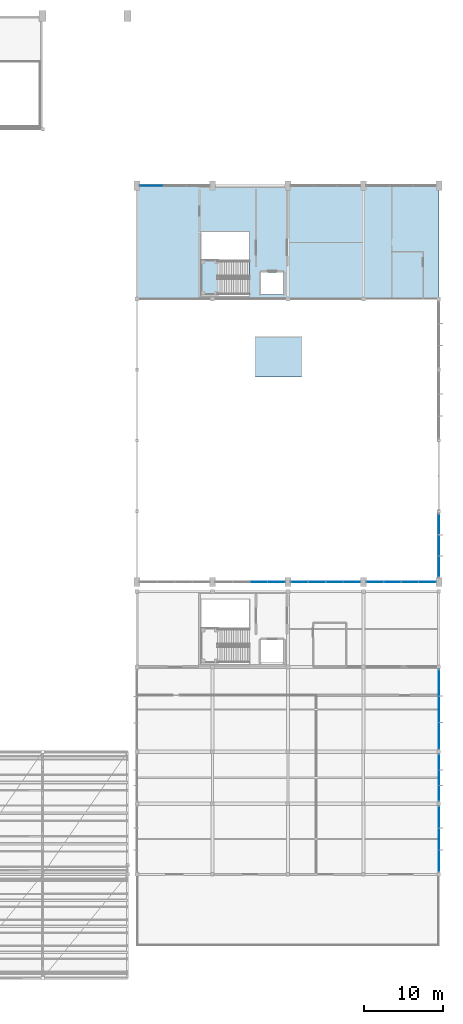
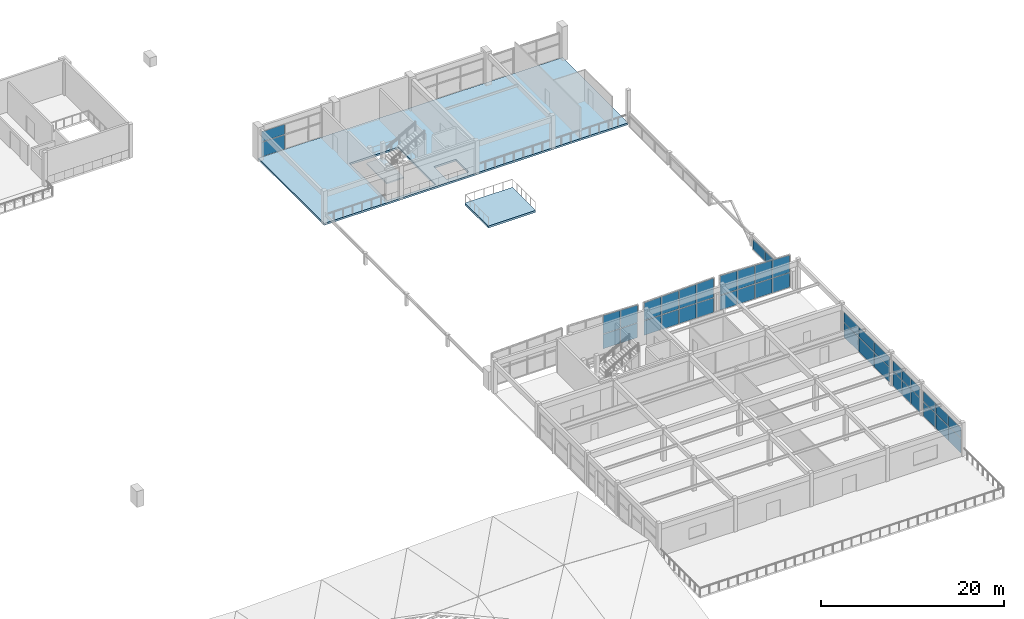
# One storey, part 61 of 89: 43 plates, 3 slabs, 9 elements without a shape of their own.
"""IFC4 building model written with IfcOpenShell, lengths in metres."""

import ifcopenshell
import ifcopenshell.guid

model = None  # the IFC model being written
_history = None  # IfcOwnerHistory: only IFC2X3 demands one
_inside = {}  # id of a spatial element -> (the spatial element, [elements in it])
_under = {}  # id of a project, library or spatial element -> (it, [spatial elements below it])
_declared = {}  # id of a project -> (the project, [libraries it declares])
_typed = {}  # id of a type object -> (the type object, [elements of that type])
_made_of = {}  # id of a material, layer set ... -> (it, [elements and type objects made of it])


def new_model(schema):
    """Start an empty IFC model of exactly this schema.

    Asked for "IFC4X3", IfcOpenShell would pick the latest addendum, in which some entities
    have other attributes; the version numbers below select the first issue.
    IFC2X3 requires an IfcOwnerHistory on every rooted entity: one is made here for all.
    """
    global model, _history
    if schema == "IFC4X3":
        model = ifcopenshell.file(schema_version=(4, 3, 0, 0))
    else:
        model = ifcopenshell.file(schema=schema)
    _inside.clear()
    _under.clear()
    _declared.clear()
    _typed.clear()
    _made_of.clear()
    _history = None
    if model.schema == "IFC2X3":
        org = make("IfcOrganization", Name="unknown")
        user = make(
            "IfcPersonAndOrganization",
            ThePerson=make("IfcPerson", FamilyName="unknown"),
            TheOrganization=org,
        )
        app = make(
            "IfcApplication",
            ApplicationDeveloper=org,
            Version="unknown",
            ApplicationFullName="unknown",
            ApplicationIdentifier="unknown",
        )
        _history = make(
            "IfcOwnerHistory",
            OwningUser=user,
            OwningApplication=app,
            ChangeAction="ADDED",
            CreationDate=0,
        )
    return model


def make(cls, **values):
    """One entity of the class cls with the attributes given. An attribute that is None is left unset."""
    return model.create_entity(
        cls, **{name: value for name, value in values.items() if value is not None}
    )


def rooted(cls, **values):
    """An entity with a GlobalId (a new one), such as an element, a storey or a relation."""
    return make(cls, GlobalId=ifcopenshell.guid.new(), OwnerHistory=_history, **values)


def si_unit(unit_type, name, prefix=None):
    """IfcSIUnit, for example si_unit("LENGTHUNIT", "METRE", prefix="MILLI")."""
    return make("IfcSIUnit", UnitType=unit_type, Prefix=prefix, Name=name)


def assignment(units):
    """IfcUnitAssignment: the units of a project."""
    return None if units is None else make("IfcUnitAssignment", Units=units)


def point(xyz):
    """IfcCartesianPoint."""
    return None if xyz is None else make("IfcCartesianPoint", Coordinates=xyz)


def direction(xyz):
    """IfcDirection."""
    return None if xyz is None else make("IfcDirection", DirectionRatios=xyz)


def frame(location, z_axis=None, x_axis=None):
    """IfcAxis2Placement3D, a coordinate frame: its origin and axes. An axis left out is left unset."""
    return make(
        "IfcAxis2Placement3D",
        Location=point(location),
        Axis=direction(z_axis),
        RefDirection=direction(x_axis),
    )


def origin():
    """The frame at (0, 0, 0) with its axes left unset."""
    return frame((0.0, 0.0, 0.0))


def place(relative_to, where):
    """IfcLocalPlacement: puts the frame where relative to a parent placement (None: the world)."""
    return make(
        "IfcLocalPlacement", PlacementRelTo=relative_to, RelativePlacement=where
    )


def context(
    kind, dimensions, precision=None, world=None, true_north=None, identifier=None
):
    """IfcGeometricRepresentationContext, for example the 3D "Model" context."""
    return make(
        "IfcGeometricRepresentationContext",
        ContextIdentifier=identifier,
        ContextType=kind,
        CoordinateSpaceDimension=dimensions,
        Precision=precision,
        WorldCoordinateSystem=world,
        TrueNorth=true_north,
    )


def subcontext(parent, identifier, kind, view, scale=None):
    """IfcGeometricRepresentationSubContext, for example "Body" below "Model"."""
    return make(
        "IfcGeometricRepresentationSubContext",
        ContextIdentifier=identifier,
        ContextType=kind,
        ParentContext=parent,
        TargetScale=scale,
        TargetView=view,
    )


def project(units=None, contexts=None):
    """IfcProject with its units and contexts."""
    return rooted(
        "IfcProject",
        Name="project",
        RepresentationContexts=contexts,
        UnitsInContext=assignment(units),
    )


def spatial(cls, under=None, at=None, **own):
    """A site, building, storey or space (cls), placed at a placement, below another one or the project."""
    s = rooted(cls, ObjectPlacement=at, **own)
    if under is not None:
        _under.setdefault(under.id(), (under, []))[1].append(s)
    return s


def polyline(points):
    """IfcPolyline through the points."""
    return make("IfcPolyline", Points=[point(p) for p in points])


def outline(outer, holes=None, kind="AREA"):
    """IfcArbitraryClosedProfileDef: a profile drawn as a closed curve; with holes, ...WithVoids."""
    if holes is None:
        return make("IfcArbitraryClosedProfileDef", ProfileType=kind, OuterCurve=outer)
    return make(
        "IfcArbitraryProfileDefWithVoids",
        ProfileType=kind,
        OuterCurve=outer,
        InnerCurves=holes,
    )


def extrude(swept, where, along, depth):
    """IfcExtrudedAreaSolid: the profile swept, set in the frame where, extruded along a direction by depth."""
    return make(
        "IfcExtrudedAreaSolid",
        SweptArea=swept,
        Position=where,
        ExtrudedDirection=direction(along),
        Depth=depth,
    )


def shape(context_of_items, identifier, shape_type, items):
    """IfcShapeRepresentation: the items that make up one representation, for example the "Body"."""
    return make(
        "IfcShapeRepresentation",
        ContextOfItems=context_of_items,
        RepresentationIdentifier=identifier,
        RepresentationType=shape_type,
        Items=items,
    )


def material(Name=None, Category=None):
    """IfcMaterial."""
    return make("IfcMaterial", Name=Name, Category=Category)


def layer(
    of_material, thickness, ventilated=None, Name=None, Category=None, Priority=None
):
    """IfcMaterialLayer: one layer of a wall or slab, of a material (None: an air gap)."""
    return make(
        "IfcMaterialLayer",
        Material=of_material,
        LayerThickness=thickness,
        IsVentilated=ventilated,
        Name=Name,
        Category=Category,
        Priority=Priority,
    )


def layer_set(layers, Name=None):
    """IfcMaterialLayerSet."""
    return make("IfcMaterialLayerSet", MaterialLayers=layers, LayerSetName=Name)


def made_of(thing, what):
    """Note that an element or type object is made of a material, layer set ...; save() writes the relation."""
    if what is not None:
        _made_of.setdefault(what.id(), (what, []))[1].append(thing)
    return thing


def type_object(cls, material=None, **own):
    """A type object (cls), such as IfcWallType, which elements share."""
    return made_of(rooted(cls, **own), material)


def element(
    cls,
    number,
    at=None,
    inside=None,
    cuts=None,
    type_object=None,
    material=None,
    context=None,
    identifier="Body",
    shape_type=None,
    held_by="IfcProductDefinitionShape",
    body=None,
    shapes=None,
    **own,
):
    """One element of the class cls, such as IfcWall. Its Tag is "e" and its number.

    at: its placement. inside: the storey or other place that contains it. cuts: it is an
    opening in that element (IfcRelVoidsElement). A single representation is given by context,
    identifier, shape_type and body (its items); several are given by shapes. held_by: the class
    of the entity that holds the representations. save() writes the other relations.
    """
    e = rooted(cls, Tag="e%d" % number, ObjectPlacement=at, **own)
    if body is not None:
        shapes = [shape(context, identifier, shape_type, body)]
    if shapes is not None:
        e.Representation = make(held_by, Representations=shapes)
    if inside is not None:
        _inside.setdefault(inside.id(), (inside, []))[1].append(e)
    if cuts is not None:
        rooted(
            "IfcRelVoidsElement", RelatingBuildingElement=cuts, RelatedOpeningElement=e
        )
    if type_object is not None:
        _typed.setdefault(type_object.id(), (type_object, []))[1].append(e)
    return made_of(e, material)


def aggregate(whole, parts):
    """IfcRelAggregates: a whole, such as a stair, and the parts it consists of."""
    return rooted("IfcRelAggregates", RelatingObject=whole, RelatedObjects=parts)


def save(model, path):
    """Write the relations noted so far, then the file.

    IfcRelAggregates (storeys below a building ...), IfcRelContainedInSpatialStructure (elements
    in a storey), IfcRelDefinesByType, IfcRelAssociatesMaterial and IfcRelDeclares: one each for
    every whole, place, type object, material and project.
    """
    for whole, parts in _under.values():
        aggregate(whole, parts)
    for where, things in _inside.values():
        rooted(
            "IfcRelContainedInSpatialStructure",
            RelatedElements=things,
            RelatingStructure=where,
        )
    for kind, things in _typed.values():
        rooted("IfcRelDefinesByType", RelatedObjects=things, RelatingType=kind)
    for what, things in _made_of.values():
        rooted("IfcRelAssociatesMaterial", RelatedObjects=things, RelatingMaterial=what)
    for by, libraries in _declared.values():
        rooted("IfcRelDeclares", RelatingContext=by, RelatedDefinitions=libraries)
    model.write(path)


model = new_model("IFC4")

# Units and contexts
model_context = context("Model", 3, precision=1e-05, world=origin(), true_north=direction((0.0, 1.0)))
body_context = subcontext(model_context, "Body", "Model", "MODEL_VIEW")
ifc_project = project(units=[si_unit("LENGTHUNIT", "METRE"), si_unit("AREAUNIT", "SQUARE_METRE"), si_unit("VOLUMEUNIT", "CUBIC_METRE"), si_unit("PLANEANGLEUNIT", "RADIAN"), si_unit("MASSUNIT", "GRAM", prefix="KILO")], contexts=[model_context])

# Site, building, storey
site_placement = place(None, origin())
site = spatial("IfcSite", under=ifc_project, at=site_placement, CompositionType="ELEMENT")
building_placement = place(site_placement, origin())
building = spatial("IfcBuilding", under=site, at=building_placement, Name="Suirenkawa Promenade Aquatics Centre", CompositionType="ELEMENT")
storey_placement = place(building_placement, frame((0.0, 0.0, 9.60009765625)))
storey = spatial("IfcBuildingStorey", under=building, at=storey_placement, Name="L02", CompositionType="ELEMENT", Elevation=9.60009765625)

# Curtain wall, plates
ifc_material_1 = material(Name="Anodised aluminium 6063-T6", Category="aluminium")
curtain_wall_type_1 = type_object("IfcCurtainWallType", Name="CWAT-V2GL02-19", PredefinedType="NOTDEFINED", material=ifc_material_1)
curtain_wall_1_placement = place(storey_placement, origin())
curtain_wall_1 = element("IfcCurtainWall", 1, at=curtain_wall_1_placement, inside=storey, type_object=curtain_wall_type_1, Name="Curtain wall CWA-19 CW-038", PredefinedType="NOTDEFINED")
ifc_material_2 = material(Name="Low-E thermally broken double glazing", Category="glass")
ifc_layer_1 = layer(ifc_material_2, 0.028076171875, Name="Low-E thermally broken double glazing", Category="glass")
ifc_layer_set_1 = layer_set([ifc_layer_1], Name="Low-E thermally broken double glazing")
plate_type_1 = type_object("IfcPlateType", Name="CWP-LOWE-28", PredefinedType="CURTAIN_PANEL", material=ifc_layer_set_1)
plate_1_placement = place(storey_placement, frame((156.3740234375, 100.800048828125, 0.039794921875), z_axis=(0.0, 0.0, 1.0), x_axis=(1.0, 0.0, 0.0)))
plate_1 = element("IfcPlate", 2, at=plate_1_placement, type_object=plate_type_1, Name="Glazed panel CP-02 CWP-00789", PredefinedType="CURTAIN_PANEL", context=body_context, shape_type="SweptSolid", body=[
    extrude(outline(polyline([(0.0400390625, 0.0), (2.91064453125, 0.0), (2.91064453125, 1.920166015625), (0.0400390625, 1.920166015625), (0.0400390625, 0.0)])), frame((0.0, 0.01416015625, 0.0), z_axis=(0.0, -1.0, 0.0), x_axis=(1.0, 0.0, 0.0)), (0.0, 0.0, 1.0), 0.028076171875),
])
plate_2_placement = place(storey_placement, frame((156.3740234375, 100.800048828125, 2.039794921875), z_axis=(0.0, 0.0, 1.0), x_axis=(1.0, 0.0, 0.0)))
plate_2 = element("IfcPlate", 3, at=plate_2_placement, type_object=plate_type_1, Name="Top glazed panel CP-02 CWP-00790", PredefinedType="CURTAIN_PANEL", context=body_context, shape_type="SweptSolid", body=[
    extrude(outline(polyline([(0.0400390625, 0.0), (2.91064453125, 0.0), (2.91064453125, 1.340087890625), (0.0400390625, 1.340087890625), (0.0400390625, 0.0)])), frame((0.0, 0.01416015625, 0.0), z_axis=(0.0, -1.0, 0.0), x_axis=(1.0, 0.0, 0.0)), (0.0, 0.0, 1.0), 0.028076171875),
])
aggregate(curtain_wall_1, [plate_1, plate_2])

curtain_wall_type_2 = type_object("IfcCurtainWallType", Name="CWAT-V2S-16", PredefinedType="NOTDEFINED", material=ifc_material_1)
curtain_wall_2_placement = place(storey_placement, origin())
curtain_wall_2 = element("IfcCurtainWall", 4, at=curtain_wall_2_placement, inside=storey, type_object=curtain_wall_type_2, Name="Curtain wall CWA-16 CW-039", PredefinedType="NOTDEFINED")
ifc_material_3 = material(Name="Ceramic-fritted low-SHGC double glazing", Category="glass")
ifc_layer_2 = layer(ifc_material_3, 0.035888671875, Name="Ceramic-fritted low-SHGC double glazing", Category="glass")
ifc_layer_set_2 = layer_set([ifc_layer_2], Name="Ceramic-fritted low-SHGC double glazing")
plate_type_2 = type_object("IfcPlateType", Name="CWP-SHOJI-36", PredefinedType="CURTAIN_PANEL", material=ifc_layer_set_2)
plate_3_placement = place(storey_placement, frame((174.825927734375, 50.39990234375, 0.039794921875), z_axis=(0.0, 0.0, 1.0), x_axis=(-1.0, 0.0, 0.0)))
plate_3 = element("IfcPlate", 5, at=plate_3_placement, type_object=plate_type_2, Name="Glazed panel CP-01 CWP-00809", PredefinedType="CURTAIN_PANEL", context=body_context, shape_type="SweptSolid", body=[
    extrude(outline(polyline([(0.0400390625, 0.0), (2.173095703125, 0.0), (2.173095703125, 1.920166015625), (0.0400390625, 1.920166015625), (0.0400390625, 0.0)])), frame((0.0, 0.01806640625, 0.0), z_axis=(0.0, -1.0, 0.0), x_axis=(1.0, 0.0, 0.0)), (0.0, 0.0, 1.0), 0.035888671875),
])
plate_4_placement = place(storey_placement, frame((174.825927734375, 50.39990234375, 2.039794921875), z_axis=(0.0, 0.0, 1.0), x_axis=(-1.0, 0.0, 0.0)))
plate_4 = element("IfcPlate", 6, at=plate_4_placement, type_object=plate_type_2, Name="Top glazed panel CP-01 CWP-00810", PredefinedType="CURTAIN_PANEL", context=body_context, shape_type="SweptSolid", body=[
    extrude(outline(polyline([(0.0400390625, 0.0), (2.173095703125, 0.0), (2.173095703125, 2.382568359375), (0.0400390625, 2.320068359375), (0.0400390625, 0.0)])), frame((0.0, 0.01806640625, 0.0), z_axis=(0.0, -1.0, 0.0), x_axis=(1.0, 0.0, 0.0)), (0.0, 0.0, 1.0), 0.035888671875),
])
plate_5_placement = place(storey_placement, frame((172.613037109375, 50.39990234375, 0.039794921875), z_axis=(0.0, 0.0, 1.0), x_axis=(-1.0, 0.0, 0.0)))
plate_5 = element("IfcPlate", 7, at=plate_5_placement, type_object=plate_type_2, Name="Glazed panel CP-01 CWP-00811", PredefinedType="CURTAIN_PANEL", context=body_context, shape_type="SweptSolid", body=[
    extrude(outline(polyline([(0.0400390625, 0.0), (2.173095703125, 0.0), (2.173095703125, 1.920166015625), (0.0400390625, 1.920166015625), (0.0400390625, 0.0)])), frame((0.0, 0.01806640625, 0.0), z_axis=(0.0, -1.0, 0.0), x_axis=(1.0, 0.0, 0.0)), (0.0, 0.0, 1.0), 0.035888671875),
])
plate_6_placement = place(storey_placement, frame((172.613037109375, 50.39990234375, 2.039794921875), z_axis=(0.0, 0.0, 1.0), x_axis=(-1.0, 0.0, 0.0)))
plate_6 = element("IfcPlate", 8, at=plate_6_placement, type_object=plate_type_2, Name="Top glazed panel CP-01 CWP-00812", PredefinedType="CURTAIN_PANEL", context=body_context, shape_type="SweptSolid", body=[
    extrude(outline(polyline([(0.0400390625, 0.0), (2.173095703125, 0.0), (2.173095703125, 2.445068359375), (0.0400390625, 2.382568359375), (0.0400390625, 0.0)])), frame((0.0, 0.01806640625, 0.0), z_axis=(0.0, -1.0, 0.0), x_axis=(1.0, 0.0, 0.0)), (0.0, 0.0, 1.0), 0.035888671875),
])
aggregate(curtain_wall_2, [plate_3, plate_4, plate_5, plate_6])

curtain_wall_3_placement = place(storey_placement, origin())
curtain_wall_3 = element("IfcCurtainWall", 9, at=curtain_wall_3_placement, inside=storey, type_object=curtain_wall_type_2, Name="Curtain wall CWA-16 CW-041", PredefinedType="NOTDEFINED")
plate_7_placement = place(storey_placement, frame((184.426025390625, 50.39990234375, 0.039794921875), z_axis=(0.0, 0.0, 1.0), x_axis=(-1.0, 0.0, 0.0)))
plate_7 = element("IfcPlate", 10, at=plate_7_placement, type_object=plate_type_2, Name="Glazed panel CP-01 CWP-00853", PredefinedType="CURTAIN_PANEL", context=body_context, shape_type="SweptSolid", body=[
    extrude(outline(polyline([(0.0400390625, 0.0), (2.173095703125, 0.0), (2.173095703125, 1.920166015625), (0.0400390625, 1.920166015625), (0.0400390625, 0.0)])), frame((0.0, 0.01806640625, 0.0), z_axis=(0.0, -1.0, 0.0), x_axis=(1.0, 0.0, 0.0)), (0.0, 0.0, 1.0), 0.035888671875),
])
plate_8_placement = place(storey_placement, frame((184.426025390625, 50.39990234375, 2.039794921875), z_axis=(0.0, 0.0, 1.0), x_axis=(-1.0, 0.0, 0.0)))
plate_8 = element("IfcPlate", 11, at=plate_8_placement, type_object=plate_type_2, Name="Top glazed panel CP-01 CWP-00854", PredefinedType="CURTAIN_PANEL", context=body_context, shape_type="SweptSolid", body=[
    extrude(outline(polyline([(0.0400390625, 0.0), (2.173095703125, 0.0), (2.173095703125, 2.507568359375), (0.0400390625, 2.570068359375), (0.0400390625, 0.0)])), frame((0.0, 0.01806640625, 0.0), z_axis=(0.0, -1.0, 0.0), x_axis=(1.0, 0.0, 0.0)), (0.0, 0.0, 1.0), 0.035888671875),
])
plate_9_placement = place(storey_placement, frame((182.212890625, 50.39990234375, 0.039794921875), z_axis=(0.0, 0.0, 1.0), x_axis=(-1.0, 0.0, 0.0)))
plate_9 = element("IfcPlate", 12, at=plate_9_placement, type_object=plate_type_2, Name="Glazed panel CP-01 CWP-00855", PredefinedType="CURTAIN_PANEL", context=body_context, shape_type="SweptSolid", body=[
    extrude(outline(polyline([(0.0400390625, 0.0), (2.173095703125, 0.0), (2.173095703125, 1.920166015625), (0.0400390625, 1.920166015625), (0.0400390625, 0.0)])), frame((0.0, 0.01806640625, 0.0), z_axis=(0.0, -1.0, 0.0), x_axis=(1.0, 0.0, 0.0)), (0.0, 0.0, 1.0), 0.035888671875),
])
plate_10_placement = place(storey_placement, frame((182.212890625, 50.39990234375, 2.039794921875), z_axis=(0.0, 0.0, 1.0), x_axis=(-1.0, 0.0, 0.0)))
plate_10 = element("IfcPlate", 13, at=plate_10_placement, type_object=plate_type_2, Name="Top glazed panel CP-01 CWP-00856", PredefinedType="CURTAIN_PANEL", context=body_context, shape_type="SweptSolid", body=[
    extrude(outline(polyline([(0.0400390625, 0.0), (2.173095703125, 0.0), (2.173095703125, 2.445068359375), (0.0400390625, 2.507568359375), (0.0400390625, 0.0)])), frame((0.0, 0.01806640625, 0.0), z_axis=(0.0, -1.0, 0.0), x_axis=(1.0, 0.0, 0.0)), (0.0, 0.0, 1.0), 0.035888671875),
])
plate_11_placement = place(storey_placement, frame((180.0, 50.39990234375, 0.039794921875), z_axis=(0.0, 0.0, 1.0), x_axis=(-1.0, 0.0, 0.0)))
plate_11 = element("IfcPlate", 14, at=plate_11_placement, type_object=plate_type_2, Name="Glazed panel CP-01 CWP-00857", PredefinedType="CURTAIN_PANEL", context=body_context, shape_type="SweptSolid", body=[
    extrude(outline(polyline([(0.0400390625, 0.0), (2.173095703125, 0.0), (2.173095703125, 1.920166015625), (0.0400390625, 1.920166015625), (0.0400390625, 0.0)])), frame((0.0, 0.01806640625, 0.0), z_axis=(0.0, -1.0, 0.0), x_axis=(1.0, 0.0, 0.0)), (0.0, 0.0, 1.0), 0.035888671875),
])
plate_12_placement = place(storey_placement, frame((180.0, 50.39990234375, 2.039794921875), z_axis=(0.0, 0.0, 1.0), x_axis=(-1.0, 0.0, 0.0)))
plate_12 = element("IfcPlate", 15, at=plate_12_placement, type_object=plate_type_2, Name="Top glazed panel CP-01 CWP-00858", PredefinedType="CURTAIN_PANEL", context=body_context, shape_type="SweptSolid", body=[
    extrude(outline(polyline([(0.0400390625, 0.0), (2.173095703125, 0.0), (2.173095703125, 2.382568359375), (0.0400390625, 2.445068359375), (0.0400390625, 0.0)])), frame((0.0, 0.01806640625, 0.0), z_axis=(0.0, -1.0, 0.0), x_axis=(1.0, 0.0, 0.0)), (0.0, 0.0, 1.0), 0.035888671875),
])
plate_13_placement = place(storey_placement, frame((177.787109375, 50.39990234375, 0.039794921875), z_axis=(0.0, 0.0, 1.0), x_axis=(-1.0, 0.0, 0.0)))
plate_13 = element("IfcPlate", 16, at=plate_13_placement, type_object=plate_type_2, Name="Glazed panel CP-01 CWP-00859", PredefinedType="CURTAIN_PANEL", context=body_context, shape_type="SweptSolid", body=[
    extrude(outline(polyline([(0.0400390625, 0.0), (2.173095703125, 0.0), (2.173095703125, 1.920166015625), (0.0400390625, 1.920166015625), (0.0400390625, 0.0)])), frame((0.0, 0.01806640625, 0.0), z_axis=(0.0, -1.0, 0.0), x_axis=(1.0, 0.0, 0.0)), (0.0, 0.0, 1.0), 0.035888671875),
])
plate_14_placement = place(storey_placement, frame((177.787109375, 50.39990234375, 2.039794921875), z_axis=(0.0, 0.0, 1.0), x_axis=(-1.0, 0.0, 0.0)))
plate_14 = element("IfcPlate", 17, at=plate_14_placement, type_object=plate_type_2, Name="Top glazed panel CP-01 CWP-00860", PredefinedType="CURTAIN_PANEL", context=body_context, shape_type="SweptSolid", body=[
    extrude(outline(polyline([(0.0400390625, 0.0), (2.173095703125, 0.0), (2.173095703125, 2.320068359375), (0.0400390625, 2.382568359375), (0.0400390625, 0.0)])), frame((0.0, 0.01806640625, 0.0), z_axis=(0.0, -1.0, 0.0), x_axis=(1.0, 0.0, 0.0)), (0.0, 0.0, 1.0), 0.035888671875),
])
aggregate(curtain_wall_3, [plate_7, plate_8, plate_9, plate_10, plate_11, plate_12, plate_13, plate_14])

curtain_wall_4_placement = place(storey_placement, origin())
curtain_wall_4 = element("IfcCurtainWall", 18, at=curtain_wall_4_placement, inside=storey, type_object=curtain_wall_type_2, Name="Curtain wall CWA-16 CW-045", PredefinedType="NOTDEFINED")
plate_15_placement = place(storey_placement, frame((194.02587890625, 50.39990234375, 0.039794921875), z_axis=(0.0, 0.0, 1.0), x_axis=(-1.0, 0.0, 0.0)))
plate_15 = element("IfcPlate", 19, at=plate_15_placement, type_object=plate_type_2, Name="Glazed panel CP-01 CWP-00931", PredefinedType="CURTAIN_PANEL", context=body_context, shape_type="SweptSolid", body=[
    extrude(outline(polyline([(0.0400390625, 0.0), (2.173095703125, 0.0), (2.173095703125, 1.920166015625), (0.0400390625, 1.920166015625), (0.0400390625, 0.0)])), frame((0.0, 0.01806640625, 0.0), z_axis=(0.0, -1.0, 0.0), x_axis=(1.0, 0.0, 0.0)), (0.0, 0.0, 1.0), 0.035888671875),
])
plate_16_placement = place(storey_placement, frame((194.02587890625, 50.39990234375, 2.039794921875), z_axis=(0.0, 0.0, 1.0), x_axis=(-1.0, 0.0, 0.0)))
plate_16 = element("IfcPlate", 20, at=plate_16_placement, type_object=plate_type_2, Name="Top glazed panel CP-01 CWP-00932", PredefinedType="CURTAIN_PANEL", context=body_context, shape_type="SweptSolid", body=[
    extrude(outline(polyline([(0.0400390625, 0.0), (2.173095703125, 0.0), (2.173095703125, 2.34521484375), (0.0400390625, 2.27001953125), (0.0400390625, 0.0)])), frame((0.0, 0.01806640625, 0.0), z_axis=(0.0, -1.0, 0.0), x_axis=(1.0, 0.0, 0.0)), (0.0, 0.0, 1.0), 0.035888671875),
])
plate_17_placement = place(storey_placement, frame((191.81298828125, 50.39990234375, 0.039794921875), z_axis=(0.0, 0.0, 1.0), x_axis=(-1.0, 0.0, 0.0)))
plate_17 = element("IfcPlate", 21, at=plate_17_placement, type_object=plate_type_2, Name="Glazed panel CP-01 CWP-00933", PredefinedType="CURTAIN_PANEL", context=body_context, shape_type="SweptSolid", body=[
    extrude(outline(polyline([(0.0400390625, 0.0), (2.173095703125, 0.0), (2.173095703125, 1.920166015625), (0.0400390625, 1.920166015625), (0.0400390625, 0.0)])), frame((0.0, 0.01806640625, 0.0), z_axis=(0.0, -1.0, 0.0), x_axis=(1.0, 0.0, 0.0)), (0.0, 0.0, 1.0), 0.035888671875),
])
plate_18_placement = place(storey_placement, frame((191.81298828125, 50.39990234375, 2.039794921875), z_axis=(0.0, 0.0, 1.0), x_axis=(-1.0, 0.0, 0.0)))
plate_18 = element("IfcPlate", 22, at=plate_18_placement, type_object=plate_type_2, Name="Top glazed panel CP-01 CWP-00934", PredefinedType="CURTAIN_PANEL", context=body_context, shape_type="SweptSolid", body=[
    extrude(outline(polyline([(0.0400390625, 0.0), (2.173095703125, 0.0), (2.173095703125, 2.420166015625), (0.0400390625, 2.34521484375), (0.0400390625, 0.0)])), frame((0.0, 0.01806640625, 0.0), z_axis=(0.0, -1.0, 0.0), x_axis=(1.0, 0.0, 0.0)), (0.0, 0.0, 1.0), 0.035888671875),
])
plate_19_placement = place(storey_placement, frame((189.60009765625, 50.39990234375, 0.039794921875), z_axis=(0.0, 0.0, 1.0), x_axis=(-1.0, 0.0, 0.0)))
plate_19 = element("IfcPlate", 23, at=plate_19_placement, type_object=plate_type_2, Name="Glazed panel CP-01 CWP-00935", PredefinedType="CURTAIN_PANEL", context=body_context, shape_type="SweptSolid", body=[
    extrude(outline(polyline([(0.0400390625, 0.0), (2.173095703125, 0.0), (2.173095703125, 1.920166015625), (0.0400390625, 1.920166015625), (0.0400390625, 0.0)])), frame((0.0, 0.01806640625, 0.0), z_axis=(0.0, -1.0, 0.0), x_axis=(1.0, 0.0, 0.0)), (0.0, 0.0, 1.0), 0.035888671875),
])
plate_20_placement = place(storey_placement, frame((189.60009765625, 50.39990234375, 2.039794921875), z_axis=(0.0, 0.0, 1.0), x_axis=(-1.0, 0.0, 0.0)))
plate_20 = element("IfcPlate", 24, at=plate_20_placement, type_object=plate_type_2, Name="Top glazed panel CP-01 CWP-00936", PredefinedType="CURTAIN_PANEL", context=body_context, shape_type="SweptSolid", body=[
    extrude(outline(polyline([(0.0400390625, 0.0), (2.173095703125, 0.0), (2.173095703125, 2.4951171875), (0.0400390625, 2.420166015625), (0.0400390625, 0.0)])), frame((0.0, 0.01806640625, 0.0), z_axis=(0.0, -1.0, 0.0), x_axis=(1.0, 0.0, 0.0)), (0.0, 0.0, 1.0), 0.035888671875),
])
plate_21_placement = place(storey_placement, frame((187.386962890625, 50.39990234375, 0.039794921875), z_axis=(0.0, 0.0, 1.0), x_axis=(-1.0, 0.0, 0.0)))
plate_21 = element("IfcPlate", 25, at=plate_21_placement, type_object=plate_type_2, Name="Glazed panel CP-01 CWP-00937", PredefinedType="CURTAIN_PANEL", context=body_context, shape_type="SweptSolid", body=[
    extrude(outline(polyline([(0.0400390625, 0.0), (2.173095703125, 0.0), (2.173095703125, 1.920166015625), (0.0400390625, 1.920166015625), (0.0400390625, 0.0)])), frame((0.0, 0.01806640625, 0.0), z_axis=(0.0, -1.0, 0.0), x_axis=(1.0, 0.0, 0.0)), (0.0, 0.0, 1.0), 0.035888671875),
])
plate_22_placement = place(storey_placement, frame((187.386962890625, 50.39990234375, 2.039794921875), z_axis=(0.0, 0.0, 1.0), x_axis=(-1.0, 0.0, 0.0)))
plate_22 = element("IfcPlate", 26, at=plate_22_placement, type_object=plate_type_2, Name="Top glazed panel CP-01 CWP-00938", PredefinedType="CURTAIN_PANEL", context=body_context, shape_type="SweptSolid", body=[
    extrude(outline(polyline([(0.0400390625, 0.0), (2.173095703125, 0.0), (2.173095703125, 2.570068359375), (0.0400390625, 2.4951171875), (0.0400390625, 0.0)])), frame((0.0, 0.01806640625, 0.0), z_axis=(0.0, -1.0, 0.0), x_axis=(1.0, 0.0, 0.0)), (0.0, 0.0, 1.0), 0.035888671875),
])
aggregate(curtain_wall_4, [plate_15, plate_16, plate_17, plate_18, plate_19, plate_20, plate_21, plate_22])

curtain_wall_type_3 = type_object("IfcCurtainWallType", Name="CWAT-V2E-21", PredefinedType="NOTDEFINED", material=ifc_material_1)
curtain_wall_5_placement = place(storey_placement, origin())
curtain_wall_5 = element("IfcCurtainWall", 27, at=curtain_wall_5_placement, inside=storey, type_object=curtain_wall_type_3, Name="Curtain wall CWA-21 CW-049", PredefinedType="NOTDEFINED")
plate_23_placement = place(storey_placement, frame((194.39990234375, 59.10107421875, -0.31005859375), z_axis=(0.0, 0.0, 1.0), x_axis=(0.0, -1.0, 0.0)))
plate_23 = element("IfcPlate", 28, at=plate_23_placement, type_object=plate_type_2, Name="Top glazed panel CP-01 CWP-00998", PredefinedType="CURTAIN_PANEL", context=body_context, shape_type="SweptSolid", body=[
    extrude(outline(polyline([(0.0400390625, 0.0), (2.66064453125, 0.0), (2.66064453125, 1.324951171875), (0.0400390625, 1.324951171875), (0.0400390625, 0.0)])), frame((0.0, 0.01806640625, 0.0), z_axis=(0.0, -1.0, 0.0), x_axis=(1.0, 0.0, 0.0)), (0.0, 0.0, 1.0), 0.035888671875),
])
plate_24_placement = place(storey_placement, frame((194.39990234375, 56.400390625, -0.31005859375), z_axis=(0.0, 0.0, 1.0), x_axis=(0.0, -1.0, 0.0)))
plate_24 = element("IfcPlate", 29, at=plate_24_placement, type_object=plate_type_2, Name="Top glazed panel CP-01 CWP-00999", PredefinedType="CURTAIN_PANEL", context=body_context, shape_type="SweptSolid", body=[
    extrude(outline(polyline([(0.0400390625, 0.0), (2.66064453125, 0.0), (2.66064453125, 1.324951171875), (0.0400390625, 1.324951171875), (0.0400390625, 0.0)])), frame((0.0, 0.01806640625, 0.0), z_axis=(0.0, -1.0, 0.0), x_axis=(1.0, 0.0, 0.0)), (0.0, 0.0, 1.0), 0.035888671875),
])
plate_25_placement = place(storey_placement, frame((194.39990234375, 53.69970703125, -0.31005859375), z_axis=(0.0, 0.0, 1.0), x_axis=(0.0, -1.0, 0.0)))
plate_25 = element("IfcPlate", 30, at=plate_25_placement, type_object=plate_type_2, Name="Top glazed panel CP-01 CWP-01000", PredefinedType="CURTAIN_PANEL", context=body_context, shape_type="SweptSolid", body=[
    extrude(outline(polyline([(0.0400390625, 0.0), (2.66064453125, 0.0), (2.66064453125, 1.324951171875), (0.0400390625, 1.324951171875), (0.0400390625, 0.0)])), frame((0.0, 0.01806640625, 0.0), z_axis=(0.0, -1.0, 0.0), x_axis=(1.0, 0.0, 0.0)), (0.0, 0.0, 1.0), 0.035888671875),
])
aggregate(curtain_wall_5, [plate_23, plate_24, plate_25])

curtain_wall_type_4 = type_object("IfcCurtainWallType", Name="CWAT-V4EL02-37", PredefinedType="NOTDEFINED", material=ifc_material_1)
curtain_wall_6_placement = place(storey_placement, origin())
curtain_wall_6 = element("IfcCurtainWall", 31, at=curtain_wall_6_placement, inside=storey, type_object=curtain_wall_type_4, Name="Curtain wall CWA-37 CW-080", PredefinedType="NOTDEFINED")
plate_26_placement = place(storey_placement, frame((194.39990234375, 21.85107421875, 0.039794921875), z_axis=(0.0, 0.0, 1.0), x_axis=(0.0, -1.0, 0.0)))
plate_26 = element("IfcPlate", 32, at=plate_26_placement, type_object=plate_type_2, Name="Glazed panel CP-01 CWP-01595", PredefinedType="CURTAIN_PANEL", context=body_context, shape_type="SweptSolid", body=[
    extrude(outline(polyline([(0.0400390625, 0.0), (2.727294921875, 0.0), (2.727294921875, 1.920166015625), (0.0400390625, 1.920166015625), (0.0400390625, 0.0)])), frame((0.0, 0.01806640625, 0.0), z_axis=(0.0, -1.0, 0.0), x_axis=(1.0, 0.0, 0.0)), (0.0, 0.0, 1.0), 0.035888671875),
])
plate_27_placement = place(storey_placement, frame((194.39990234375, 21.85107421875, 2.039794921875), z_axis=(0.0, 0.0, 1.0), x_axis=(0.0, -1.0, 0.0)))
plate_27 = element("IfcPlate", 33, at=plate_27_placement, type_object=plate_type_2, Name="Top glazed panel CP-01 CWP-01596", PredefinedType="CURTAIN_PANEL", context=body_context, shape_type="SweptSolid", body=[
    extrude(outline(polyline([(0.0400390625, 0.0), (2.727294921875, 0.0), (2.727294921875, 1.340087890625), (0.0400390625, 1.340087890625), (0.0400390625, 0.0)])), frame((0.0, 0.01806640625, 0.0), z_axis=(0.0, -1.0, 0.0), x_axis=(1.0, 0.0, 0.0)), (0.0, 0.0, 1.0), 0.035888671875),
])
plate_28_placement = place(storey_placement, frame((194.39990234375, 19.083740234375, 0.039794921875), z_axis=(0.0, 0.0, 1.0), x_axis=(0.0, -1.0, 0.0)))
plate_28 = element("IfcPlate", 34, at=plate_28_placement, type_object=plate_type_2, Name="Glazed panel CP-01 CWP-01597", PredefinedType="CURTAIN_PANEL", context=body_context, shape_type="SweptSolid", body=[
    extrude(outline(polyline([(0.0400390625, 0.0), (2.727294921875, 0.0), (2.727294921875, 1.920166015625), (0.0400390625, 1.920166015625), (0.0400390625, 0.0)])), frame((0.0, 0.01806640625, 0.0), z_axis=(0.0, -1.0, 0.0), x_axis=(1.0, 0.0, 0.0)), (0.0, 0.0, 1.0), 0.035888671875),
])
plate_29_placement = place(storey_placement, frame((194.39990234375, 19.083740234375, 2.039794921875), z_axis=(0.0, 0.0, 1.0), x_axis=(0.0, -1.0, 0.0)))
plate_29 = element("IfcPlate", 35, at=plate_29_placement, type_object=plate_type_2, Name="Top glazed panel CP-01 CWP-01598", PredefinedType="CURTAIN_PANEL", context=body_context, shape_type="SweptSolid", body=[
    extrude(outline(polyline([(0.0400390625, 0.0), (2.727294921875, 0.0), (2.727294921875, 1.340087890625), (0.0400390625, 1.340087890625), (0.0400390625, 0.0)])), frame((0.0, 0.01806640625, 0.0), z_axis=(0.0, -1.0, 0.0), x_axis=(1.0, 0.0, 0.0)), (0.0, 0.0, 1.0), 0.035888671875),
])
plate_30_placement = place(storey_placement, frame((194.39990234375, 16.31640625, 0.039794921875), z_axis=(0.0, 0.0, 1.0), x_axis=(0.0, -1.0, 0.0)))
plate_30 = element("IfcPlate", 36, at=plate_30_placement, type_object=plate_type_2, Name="Glazed panel CP-01 CWP-01599", PredefinedType="CURTAIN_PANEL", context=body_context, shape_type="SweptSolid", body=[
    extrude(outline(polyline([(0.0400390625, 0.0), (2.727294921875, 0.0), (2.727294921875, 1.920166015625), (0.0400390625, 1.920166015625), (0.0400390625, 0.0)])), frame((0.0, 0.01806640625, 0.0), z_axis=(0.0, -1.0, 0.0), x_axis=(1.0, 0.0, 0.0)), (0.0, 0.0, 1.0), 0.035888671875),
])
plate_31_placement = place(storey_placement, frame((194.39990234375, 16.31640625, 2.039794921875), z_axis=(0.0, 0.0, 1.0), x_axis=(0.0, -1.0, 0.0)))
plate_31 = element("IfcPlate", 37, at=plate_31_placement, type_object=plate_type_2, Name="Top glazed panel CP-01 CWP-01600", PredefinedType="CURTAIN_PANEL", context=body_context, shape_type="SweptSolid", body=[
    extrude(outline(polyline([(0.0400390625, 0.0), (2.727294921875, 0.0), (2.727294921875, 1.340087890625), (0.0400390625, 1.340087890625), (0.0400390625, 0.0)])), frame((0.0, 0.01806640625, 0.0), z_axis=(0.0, -1.0, 0.0), x_axis=(1.0, 0.0, 0.0)), (0.0, 0.0, 1.0), 0.035888671875),
])
aggregate(curtain_wall_6, [plate_26, plate_27, plate_28, plate_29, plate_30, plate_31])

curtain_wall_type_5 = type_object("IfcCurtainWallType", Name="CWAT-V4EL02-39", PredefinedType="NOTDEFINED", material=ifc_material_1)
curtain_wall_7_placement = place(storey_placement, origin())
curtain_wall_7 = element("IfcCurtainWall", 38, at=curtain_wall_7_placement, inside=storey, type_object=curtain_wall_type_5, Name="Curtain wall CWA-39 CW-082", PredefinedType="NOTDEFINED")
plate_32_placement = place(storey_placement, frame((194.39990234375, 28.450927734375, 0.039794921875), z_axis=(0.0, 0.0, 1.0), x_axis=(0.0, -1.0, 0.0)))
plate_32 = element("IfcPlate", 39, at=plate_32_placement, type_object=plate_type_2, Name="Glazed panel CP-01 CWP-01629", PredefinedType="CURTAIN_PANEL", context=body_context, shape_type="SweptSolid", body=[
    extrude(outline(polyline([(0.0400390625, 0.0), (1.92724609375, 0.0), (1.92724609375, 1.920166015625), (0.0400390625, 1.920166015625), (0.0400390625, 0.0)])), frame((0.0, 0.01806640625, 0.0), z_axis=(0.0, -1.0, 0.0), x_axis=(1.0, 0.0, 0.0)), (0.0, 0.0, 1.0), 0.035888671875),
])
plate_33_placement = place(storey_placement, frame((194.39990234375, 28.450927734375, 2.039794921875), z_axis=(0.0, 0.0, 1.0), x_axis=(0.0, -1.0, 0.0)))
plate_33 = element("IfcPlate", 40, at=plate_33_placement, type_object=plate_type_2, Name="Top glazed panel CP-01 CWP-01630", PredefinedType="CURTAIN_PANEL", context=body_context, shape_type="SweptSolid", body=[
    extrude(outline(polyline([(0.0400390625, 0.0), (1.92724609375, 0.0), (1.92724609375, 1.340087890625), (0.0400390625, 1.340087890625), (0.0400390625, 0.0)])), frame((0.0, 0.01806640625, 0.0), z_axis=(0.0, -1.0, 0.0), x_axis=(1.0, 0.0, 0.0)), (0.0, 0.0, 1.0), 0.035888671875),
])
plate_34_placement = place(storey_placement, frame((194.39990234375, 26.483642578125, 0.039794921875), z_axis=(0.0, 0.0, 1.0), x_axis=(0.0, -1.0, 0.0)))
plate_34 = element("IfcPlate", 41, at=plate_34_placement, type_object=plate_type_2, Name="Glazed panel CP-01 CWP-01631", PredefinedType="CURTAIN_PANEL", context=body_context, shape_type="SweptSolid", body=[
    extrude(outline(polyline([(0.0400390625, 0.0), (1.92724609375, 0.0), (1.92724609375, 1.920166015625), (0.0400390625, 1.920166015625), (0.0400390625, 0.0)])), frame((0.0, 0.01806640625, 0.0), z_axis=(0.0, -1.0, 0.0), x_axis=(1.0, 0.0, 0.0)), (0.0, 0.0, 1.0), 0.035888671875),
])
plate_35_placement = place(storey_placement, frame((194.39990234375, 26.483642578125, 2.039794921875), z_axis=(0.0, 0.0, 1.0), x_axis=(0.0, -1.0, 0.0)))
plate_35 = element("IfcPlate", 42, at=plate_35_placement, type_object=plate_type_2, Name="Top glazed panel CP-01 CWP-01632", PredefinedType="CURTAIN_PANEL", context=body_context, shape_type="SweptSolid", body=[
    extrude(outline(polyline([(0.0400390625, 0.0), (1.92724609375, 0.0), (1.92724609375, 1.340087890625), (0.0400390625, 1.340087890625), (0.0400390625, 0.0)])), frame((0.0, 0.01806640625, 0.0), z_axis=(0.0, -1.0, 0.0), x_axis=(1.0, 0.0, 0.0)), (0.0, 0.0, 1.0), 0.035888671875),
])
plate_36_placement = place(storey_placement, frame((194.39990234375, 24.516357421875, 0.039794921875), z_axis=(0.0, 0.0, 1.0), x_axis=(0.0, -1.0, 0.0)))
plate_36 = element("IfcPlate", 43, at=plate_36_placement, type_object=plate_type_2, Name="Glazed panel CP-01 CWP-01633", PredefinedType="CURTAIN_PANEL", context=body_context, shape_type="SweptSolid", body=[
    extrude(outline(polyline([(0.0400390625, 0.0), (1.92724609375, 0.0), (1.92724609375, 1.920166015625), (0.0400390625, 1.920166015625), (0.0400390625, 0.0)])), frame((0.0, 0.01806640625, 0.0), z_axis=(0.0, -1.0, 0.0), x_axis=(1.0, 0.0, 0.0)), (0.0, 0.0, 1.0), 0.035888671875),
])
plate_37_placement = place(storey_placement, frame((194.39990234375, 24.516357421875, 2.039794921875), z_axis=(0.0, 0.0, 1.0), x_axis=(0.0, -1.0, 0.0)))
plate_37 = element("IfcPlate", 44, at=plate_37_placement, type_object=plate_type_2, Name="Top glazed panel CP-01 CWP-01634", PredefinedType="CURTAIN_PANEL", context=body_context, shape_type="SweptSolid", body=[
    extrude(outline(polyline([(0.0400390625, 0.0), (1.92724609375, 0.0), (1.92724609375, 1.340087890625), (0.0400390625, 1.340087890625), (0.0400390625, 0.0)])), frame((0.0, 0.01806640625, 0.0), z_axis=(0.0, -1.0, 0.0), x_axis=(1.0, 0.0, 0.0)), (0.0, 0.0, 1.0), 0.035888671875),
])
aggregate(curtain_wall_7, [plate_32, plate_33, plate_34, plate_35, plate_36, plate_37])

curtain_wall_type_6 = type_object("IfcCurtainWallType", Name="CWAT-V4EL02-41", PredefinedType="NOTDEFINED", material=ifc_material_1)
curtain_wall_8_placement = place(storey_placement, origin())
curtain_wall_8 = element("IfcCurtainWall", 45, at=curtain_wall_8_placement, inside=storey, type_object=curtain_wall_type_6, Name="Curtain wall CWA-41 CW-084", PredefinedType="NOTDEFINED")
plate_38_placement = place(storey_placement, frame((194.39990234375, 39.2509765625, 0.039794921875), z_axis=(0.0, 0.0, 1.0), x_axis=(0.0, -1.0, 0.0)))
plate_38 = element("IfcPlate", 46, at=plate_38_placement, type_object=plate_type_2, Name="Glazed panel CP-01 CWP-01663", PredefinedType="CURTAIN_PANEL", context=body_context, shape_type="SweptSolid", body=[
    extrude(outline(polyline([(0.0400390625, 0.0), (3.327392578125, 0.0), (3.327392578125, 1.920166015625), (0.0400390625, 1.920166015625), (0.0400390625, 0.0)])), frame((0.0, 0.01806640625, 0.0), z_axis=(0.0, -1.0, 0.0), x_axis=(1.0, 0.0, 0.0)), (0.0, 0.0, 1.0), 0.035888671875),
])
plate_39_placement = place(storey_placement, frame((194.39990234375, 39.2509765625, 2.039794921875), z_axis=(0.0, 0.0, 1.0), x_axis=(0.0, -1.0, 0.0)))
plate_39 = element("IfcPlate", 47, at=plate_39_placement, type_object=plate_type_2, Name="Top glazed panel CP-01 CWP-01664", PredefinedType="CURTAIN_PANEL", context=body_context, shape_type="SweptSolid", body=[
    extrude(outline(polyline([(0.0400390625, 0.0), (3.327392578125, 0.0), (3.327392578125, 1.340087890625), (0.0400390625, 1.340087890625), (0.0400390625, 0.0)])), frame((0.0, 0.01806640625, 0.0), z_axis=(0.0, -1.0, 0.0), x_axis=(1.0, 0.0, 0.0)), (0.0, 0.0, 1.0), 0.035888671875),
])
plate_40_placement = place(storey_placement, frame((194.39990234375, 35.8837890625, 0.039794921875), z_axis=(0.0, 0.0, 1.0), x_axis=(0.0, -1.0, 0.0)))
plate_40 = element("IfcPlate", 48, at=plate_40_placement, type_object=plate_type_2, Name="Glazed panel CP-01 CWP-01665", PredefinedType="CURTAIN_PANEL", context=body_context, shape_type="SweptSolid", body=[
    extrude(outline(polyline([(0.0400390625, 0.0), (3.327392578125, 0.0), (3.327392578125, 1.920166015625), (0.0400390625, 1.920166015625), (0.0400390625, 0.0)])), frame((0.0, 0.01806640625, 0.0), z_axis=(0.0, -1.0, 0.0), x_axis=(1.0, 0.0, 0.0)), (0.0, 0.0, 1.0), 0.035888671875),
])
plate_41_placement = place(storey_placement, frame((194.39990234375, 35.8837890625, 2.039794921875), z_axis=(0.0, 0.0, 1.0), x_axis=(0.0, -1.0, 0.0)))
plate_41 = element("IfcPlate", 49, at=plate_41_placement, type_object=plate_type_2, Name="Top glazed panel CP-01 CWP-01666", PredefinedType="CURTAIN_PANEL", context=body_context, shape_type="SweptSolid", body=[
    extrude(outline(polyline([(0.0400390625, 0.0), (3.327392578125, 0.0), (3.327392578125, 1.340087890625), (0.0400390625, 1.340087890625), (0.0400390625, 0.0)])), frame((0.0, 0.01806640625, 0.0), z_axis=(0.0, -1.0, 0.0), x_axis=(1.0, 0.0, 0.0)), (0.0, 0.0, 1.0), 0.035888671875),
])
plate_42_placement = place(storey_placement, frame((194.39990234375, 32.516357421875, 0.039794921875), z_axis=(0.0, 0.0, 1.0), x_axis=(0.0, -1.0, 0.0)))
plate_42 = element("IfcPlate", 50, at=plate_42_placement, type_object=plate_type_2, Name="Glazed panel CP-01 CWP-01667", PredefinedType="CURTAIN_PANEL", context=body_context, shape_type="SweptSolid", body=[
    extrude(outline(polyline([(0.0400390625, 0.0), (3.327392578125, 0.0), (3.327392578125, 1.920166015625), (0.0400390625, 1.920166015625), (0.0400390625, 0.0)])), frame((0.0, 0.01806640625, 0.0), z_axis=(0.0, -1.0, 0.0), x_axis=(1.0, 0.0, 0.0)), (0.0, 0.0, 1.0), 0.035888671875),
])
plate_43_placement = place(storey_placement, frame((194.39990234375, 32.516357421875, 2.039794921875), z_axis=(0.0, 0.0, 1.0), x_axis=(0.0, -1.0, 0.0)))
plate_43 = element("IfcPlate", 51, at=plate_43_placement, type_object=plate_type_2, Name="Top glazed panel CP-01 CWP-01668", PredefinedType="CURTAIN_PANEL", context=body_context, shape_type="SweptSolid", body=[
    extrude(outline(polyline([(0.0400390625, 0.0), (3.327392578125, 0.0), (3.327392578125, 1.340087890625), (0.0400390625, 1.340087890625), (0.0400390625, 0.0)])), frame((0.0, 0.01806640625, 0.0), z_axis=(0.0, -1.0, 0.0), x_axis=(1.0, 0.0, 0.0)), (0.0, 0.0, 1.0), 0.035888671875),
])
aggregate(curtain_wall_8, [plate_38, plate_39, plate_40, plate_41, plate_42, plate_43])

# Slab
ifc_material_4 = material(Name="Concrete M40", Category="concrete")
ifc_layer_3 = layer(ifc_material_4, 0.27001953125, Name="Concrete M40", Category="concrete")
ifc_layer_set_3 = layer_set([ifc_layer_3], Name="Concrete M40")
slab_type_1 = type_object("IfcSlabType", Name="SLT-DIVE-PLAT-270", PredefinedType="FLOOR", material=ifc_layer_set_3)
slab_1_placement = place(storey_placement, frame((0.0, 0.0, 0.1298828125)))
element("IfcSlab", 52, at=slab_1_placement, inside=storey, type_object=slab_type_1, Name="Diving platform 10m SL-FLR-06 SL-0049", PredefinedType="FLOOR", context=body_context, shape_type="SweptSolid", body=[
    extrude(outline(polyline([(171.0, 76.5), (177.0, 76.5), (177.0, 81.60009765625), (171.0, 81.60009765625), (171.0, 76.5)])), origin(), (0.0, 0.0, 1.0), 0.27001953125),
])

# Stair, slab
stair_type = type_object("IfcStairType", Name="STT-CORE-2100-450", PredefinedType="TWO_STRAIGHT_RUN_STAIR", material=ifc_material_4)
stair_placement = place(storey_placement, origin())
stair = element("IfcStair", 53, at=stair_placement, inside=storey, type_object=stair_type, Name="Protected exit stair STR-02 ST-18", PredefinedType="TWO_STRAIGHT_RUN_STAIR")
ifc_layer_4 = layer(ifc_material_4, 0.169921875, Name="Concrete M40", Category="concrete")
ifc_layer_set_4 = layer_set([ifc_layer_4], Name="Concrete M40")
slab_type_2 = type_object("IfcSlabType", Name="SLT-LANDING-170", PredefinedType="LANDING", material=ifc_layer_set_4)
slab_2_placement = place(storey_placement, frame((0.0, 0.0, 2.06982421875)))
slab_2 = element("IfcSlab", 54, at=slab_2_placement, type_object=slab_type_2, Name="Stair landing SL-LND-01 SL-8018", PredefinedType="LANDING", context=body_context, shape_type="SweptSolid", body=[
    extrude(outline(polyline([(164.159912109375, 86.919921875), (166.35009765625, 86.919921875), (166.35009765625, 91.31005859375), (164.159912109375, 91.31005859375), (164.159912109375, 86.919921875)])), origin(), (0.0, 0.0, 1.0), 0.18017578125),
])
aggregate(stair, [slab_2])

# Slab
ifc_material_5 = material(Name="Concrete M35", Category="concrete")
ifc_layer_5 = layer(ifc_material_5, 0.25, Name="Concrete M35", Category="concrete")
ifc_layer_set_5 = layer_set([ifc_layer_5], Name="Concrete M35")
slab_type_3 = type_object("IfcSlabType", Name="SLT-UPPER-250", PredefinedType="FLOOR", material=ifc_layer_set_5)
slab_3_placement = place(storey_placement, frame((0.0, 0.0, -0.25)))
element("IfcSlab", 55, at=slab_3_placement, inside=storey, type_object=slab_type_3, Name="V2 diving gallery L02 SL-FLR-05 SL-0043", PredefinedType="FLOOR", context=body_context, shape_type="SweptSolid", body=[
    extrude(outline(polyline([(156.0, 86.39990234375), (194.39990234375, 86.39990234375), (194.39990234375, 100.800048828125), (156.0, 100.800048828125), (156.0, 86.39990234375)]), holes=[polyline([(164.159912109375, 86.760009765625), (170.300048828125, 86.760009765625), (170.300048828125, 94.9599609375), (164.159912109375, 94.9599609375), (164.159912109375, 86.760009765625)]), polyline([(171.800048828125, 87.0), (174.60009765625, 87.0), (174.60009765625, 89.800048828125), (171.800048828125, 89.800048828125), (171.800048828125, 87.0)])]), origin(), (0.0, 0.0, 1.0), 0.25),
])

save(model, "model.ifc")
